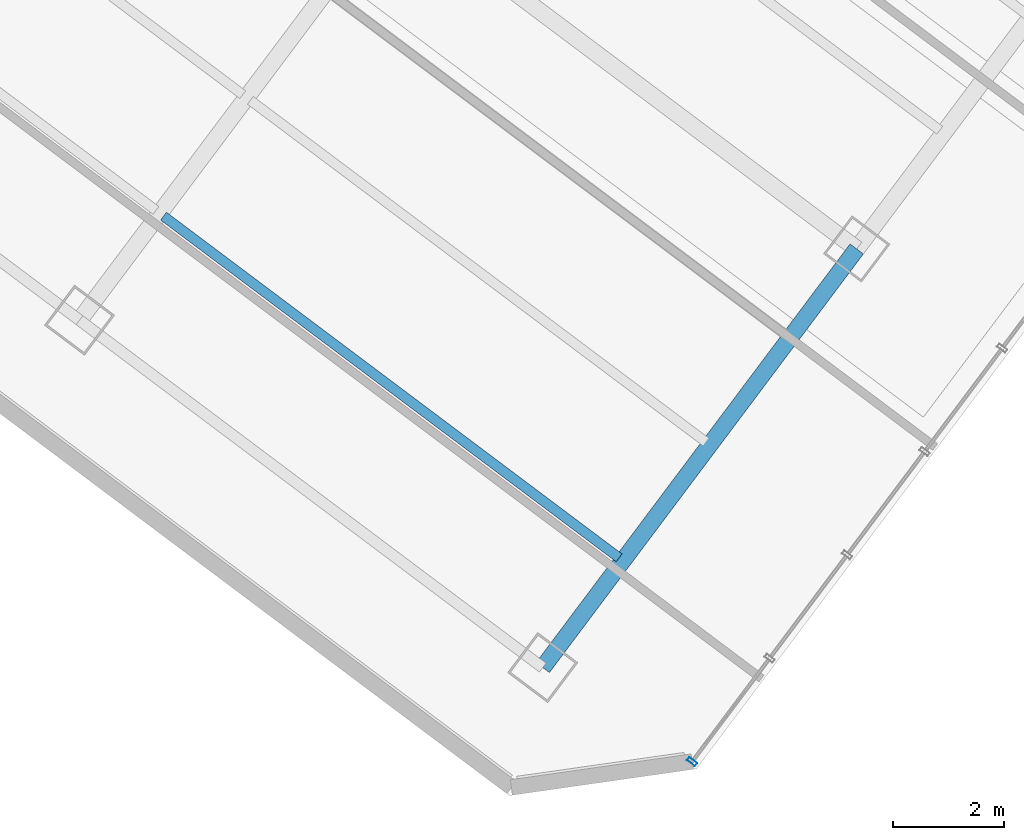
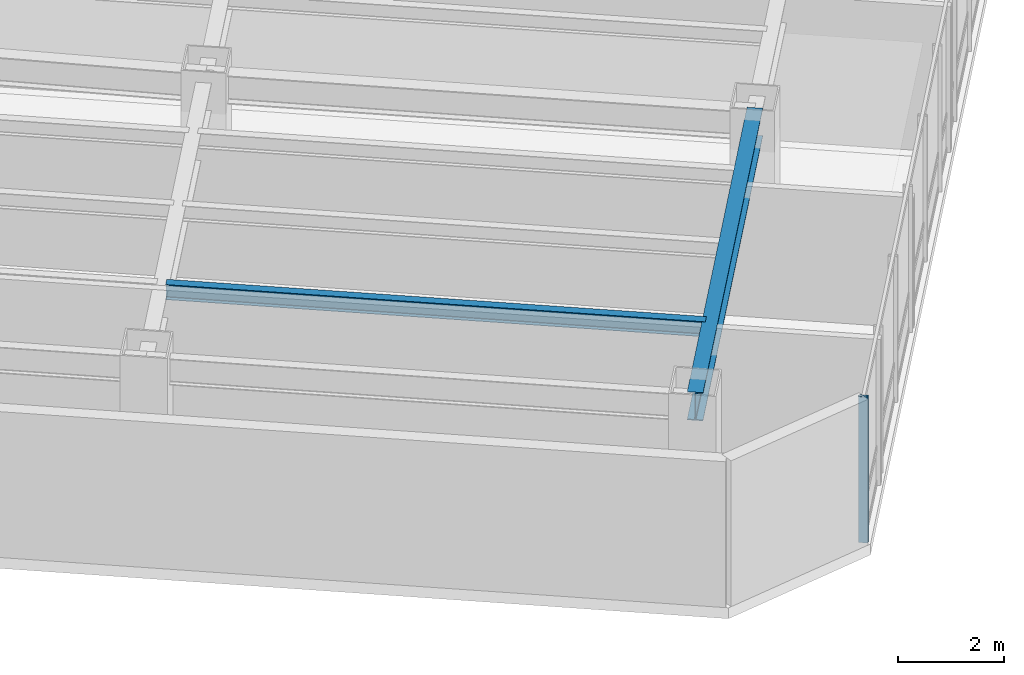
# One storey, part 6 of 31: 2 beams, 1 member, 1 element without a shape of its own.
"""IFC4 building model written with IfcOpenShell, lengths in metres."""

from ifc_helpers import new_model, si_unit, direction, frame, origin, origin_2d, place, context, subcontext, project, spatial, hollow_rectangle, i_section, extrude, material, layer, layer_set, material_profile, profile_set, type_object, element, aggregate, save


model = new_model("IFC4")

# Units and contexts
model_context = context("Model", 3, precision=1e-05, world=origin(), true_north=direction((0.0, 1.0)))
body_context = subcontext(model_context, "Body", "Model", "MODEL_VIEW")
ifc_project = project(units=[si_unit("LENGTHUNIT", "METRE"), si_unit("AREAUNIT", "SQUARE_METRE"), si_unit("VOLUMEUNIT", "CUBIC_METRE"), si_unit("PLANEANGLEUNIT", "RADIAN"), si_unit("MASSUNIT", "GRAM", prefix="KILO")], contexts=[model_context])

# Site, building, storey
site_placement = place(None, origin())
site = spatial("IfcSite", under=ifc_project, at=site_placement, CompositionType="ELEMENT")
building_placement = place(site_placement, origin())
building = spatial("IfcBuilding", under=site, at=building_placement, Name="Hatsunagi Terrace Concourse", CompositionType="ELEMENT")
storey_placement = place(building_placement, frame((0.0, 0.0, 112.050048828125)))
storey = spatial("IfcBuildingStorey", under=building, at=storey_placement, Name="L29", CompositionType="ELEMENT", Elevation=112.050048828125)

# Curtain wall, member
ifc_material_1 = material(Name="Anodised Aluminium Alloy 6063-T5", Category="aluminium")
ifc_layer = layer(ifc_material_1, 0.199951171875)
ifc_layer_set = layer_set([ifc_layer], Name="OfficeZone1_CW03")
curtain_wall_type = type_object("IfcCurtainWallType", Name="OfficeZone1_CW03", PredefinedType="NOTDEFINED", material=ifc_layer_set)
curtain_wall_placement = place(storey_placement, origin())
curtain_wall = element("IfcCurtainWall", 1, at=curtain_wall_placement, inside=storey, type_object=curtain_wall_type, Name="Unitised Curtain Wall CW-03 CW-L29-03", PredefinedType="NOTDEFINED")
ifc_material_2 = material(Name="Anodised Aluminium Alloy 6063-T5", Category="aluminium")
ifc_material_profile_1 = material_profile(ifc_material_2, hollow_rectangle(XDim=0.070068359375, YDim=0.179931640625, WallThickness=0.00390625, at=origin_2d()), Name="ALU-MUL-180x70x4")
ifc_profile_set_1 = profile_set([ifc_material_profile_1], Name="Anodised Aluminium Alloy 6063-T5")
member_type = type_object("IfcMemberType", Name="CurtainWallMullion_180x70", PredefinedType="MULLION", material=ifc_profile_set_1)
member_placement = place(storey_placement, frame((56.56298828125, 2.949951171875, 0.0), z_axis=(0.0, 0.0, 1.0), x_axis=(-0.599969314634, -0.800023013105, 0.0)))
member = element("IfcMember", 2, at=member_placement, type_object=member_type, Name="Curtain Wall Mullion MUL-02", PredefinedType="MULLION", context=body_context, shape_type="SweptSolid", body=[
    extrude(hollow_rectangle(XDim=0.070068359375, YDim=0.179931640625, WallThickness=0.00390625, at=origin_2d()), origin(), (0.0, 0.0, 1.0), 3.349853515625),
])
aggregate(curtain_wall, [member])

# Beams
ifc_material_3 = material(Name="Steel SN490B", Category="steel")
ifc_material_profile_2 = material_profile(ifc_material_3, i_section(OverallWidth=0.175048828125, OverallDepth=0.35009765625, WebThickness=0.007080078125, FlangeThickness=0.010986328125, FilletRadius=0.012939453125, at=origin_2d()), Name="H-350x175x7x11")
ifc_profile_set_2 = profile_set([ifc_material_profile_2], Name="Steel SN490B")
beam_type_1 = type_object("IfcBeamType", Name="HotelJoist_H_350x175", PredefinedType="JOIST", material=ifc_profile_set_2)
beam_1_placement = place(storey_placement, frame((47.068115234375, 12.7490234375, 3.175048828125), z_axis=(0.799997136125, -0.600003818481, 0.0), x_axis=(0.600003818481, 0.799997136125, 0.0)))
element("IfcBeam", 3, at=beam_1_placement, inside=storey, type_object=beam_type_1, Name="Beam J-02 J-L29-SE-3-46", PredefinedType="JOIST", context=body_context, shape_type="SweptSolid", body=[
    extrude(i_section(OverallWidth=0.175048828125, OverallDepth=0.35009765625, WebThickness=0.007080078125, FlangeThickness=0.010986328125, FilletRadius=0.012939453125, at=origin_2d()), origin(), (0.0, 0.0, 1.0), 10.229736328125),
])
ifc_material_4 = material(Name="Steel SN490B", Category="steel")
ifc_material_profile_3 = material_profile(ifc_material_4, i_section(OverallWidth=0.300048828125, OverallDepth=0.64990234375, WebThickness=0.012939453125, FlangeThickness=0.02197265625, FilletRadius=0.01806640625, at=origin_2d()), Name="H-650x300x13x22")
ifc_profile_set_3 = profile_set([ifc_material_profile_3], Name="Steel SN490B")
beam_type_2 = type_object("IfcBeamType", Name="OfficeLowGirder_H_650x300", PredefinedType="BEAM", material=ifc_profile_set_3)
beam_2_placement = place(storey_placement, frame((53.8798828125, 4.639892578125, 3.02490234375), z_axis=(0.600008311051, 0.799993766644, 0.0), x_axis=(-0.799993766644, 0.600008311051, 0.0)))
element("IfcBeam", 4, at=beam_2_placement, inside=storey, type_object=beam_type_2, Name="Beam G-05 BM-L29-SET-3A", PredefinedType="BEAM", context=body_context, shape_type="SweptSolid", body=[
    extrude(i_section(OverallWidth=0.300048828125, OverallDepth=0.64990234375, WebThickness=0.012939453125, FlangeThickness=0.02197265625, FilletRadius=0.01806640625, at=origin_2d()), origin(), (0.0, 0.0, 1.0), 9.400146484375),
])

save(model, "model.ifc")
